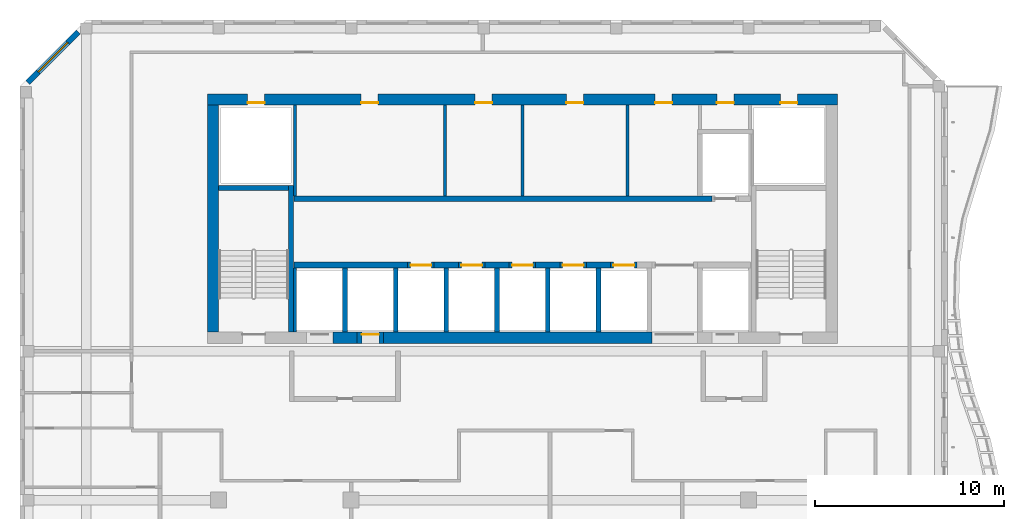
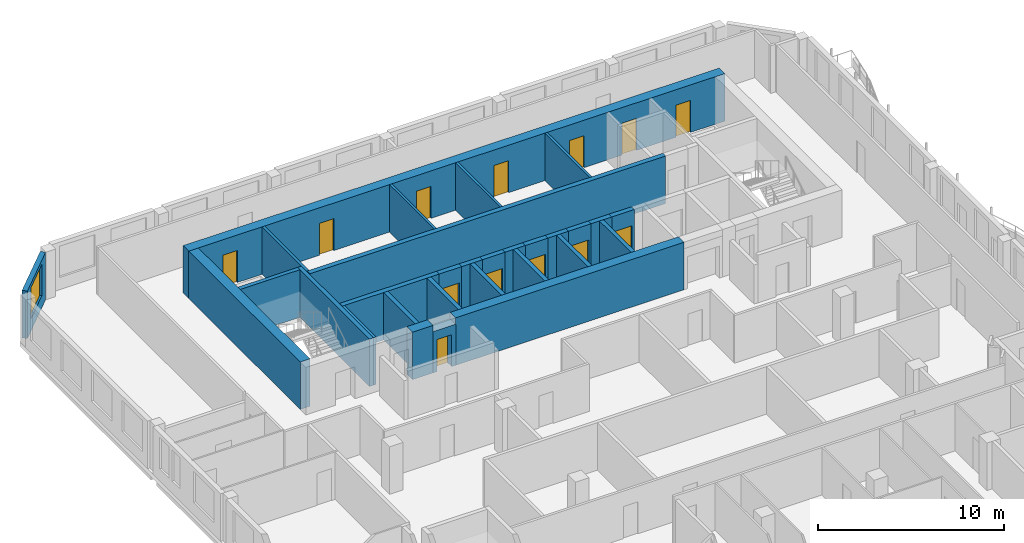
# One storey, part 6 of 18: 30 walls, 13 doors, 1 window, 14 openings.
"""IFC4 building model written with IfcOpenShell, lengths in metres."""

from ifc_helpers import new_model, si_unit, direction, frame, frame_2d, origin, place, context, subcontext, project, spatial, rectangle, extrude, source, transform, mapped, material, layer, layer_set, type_object, element, fill, save


model = new_model("IFC4")

# Units and contexts
model_context = context("Model", 3, precision=1e-05, world=origin(), true_north=direction((0.0, 1.0)))
body_context = subcontext(model_context, "Body", "Model", "MODEL_VIEW")
ifc_project = project(units=[si_unit("LENGTHUNIT", "METRE"), si_unit("AREAUNIT", "SQUARE_METRE"), si_unit("VOLUMEUNIT", "CUBIC_METRE"), si_unit("PLANEANGLEUNIT", "RADIAN"), si_unit("MASSUNIT", "GRAM", prefix="KILO")], contexts=[model_context])

# Site, building, storey
site_placement = place(None, origin())
site = spatial("IfcSite", under=ifc_project, at=site_placement, CompositionType="ELEMENT")
building_placement = place(site_placement, origin())
building = spatial("IfcBuilding", under=site, at=building_placement, Name="Kilnfold Tower and Market Hall", CompositionType="ELEMENT")
storey_placement = place(building_placement, frame((0.0, 0.0, 312.0)))
storey = spatial("IfcBuildingStorey", under=building, at=storey_placement, Name="L78", CompositionType="ELEMENT", Elevation=312.0)

# Walls
ifc_material_1 = material(Name="Concrete C50", Category="concrete")
ifc_layer_1 = layer(ifc_material_1, 0.25)
ifc_layer_set_1 = layer_set([ifc_layer_1], Name="Concrete C50")
wall_type_1 = type_object("IfcWallType", Name="CORE WALL 250 C50", PredefinedType="SHEAR", material=ifc_layer_set_1)
shared_shape_1 = source(origin(), body_context, "Body", "SweptSolid", [
    extrude(rectangle(XDim=7.75, YDim=0.25, at=frame_2d((3.875, 0.0))), origin(), (0.0, 0.0, 1.0), 3.1201171875),
])
wall_1_placement = place(storey_placement, frame((-11.175048828125, 9.0, 0.0), z_axis=(0.0, 0.0, 1.0), x_axis=(0.0, 1.0, 0.0)))
element("IfcWall", 1, at=wall_1_placement, inside=storey, type_object=wall_type_1, Name="Stair enclosure ST1", PredefinedType="SHEAR", context=body_context, shape_type="MappedRepresentation", body=[
    mapped(shared_shape_1, transform((0.0, 0.0, 0.0))),
])
shared_shape_2 = source(origin(), body_context, "Body", "SweptSolid", [
    extrude(rectangle(XDim=3.699951171875, YDim=0.25, at=frame_2d((1.85009765625, 0.0))), origin(), (0.0, 0.0, 1.0), 3.1201171875),
])
wall_2_placement = place(storey_placement, frame((-15.0, 16.625, 0.0), z_axis=(0.0, 0.0, 1.0), x_axis=(1.0, 0.0, 0.0)))
element("IfcWall", 2, at=wall_2_placement, inside=storey, type_object=wall_type_1, Name="Stair enclosure ST1", PredefinedType="SHEAR", context=body_context, shape_type="MappedRepresentation", body=[
    mapped(shared_shape_2, transform((0.0, 0.0, 0.0))),
])
ifc_material_2 = material(Name="Concrete C50", Category="concrete")
ifc_layer_2 = layer(ifc_material_2, 0.300048828125)
ifc_layer_set_2 = layer_set([ifc_layer_2], Name="Concrete C50")
wall_type_2 = type_object("IfcWallType", Name="CORE WALL 300 C50", PredefinedType="SHEAR", material=ifc_layer_set_2)
shared_shape_3 = source(origin(), body_context, "Body", "SweptSolid", [
    extrude(rectangle(XDim=6.0, YDim=0.300048828125, at=frame_2d((3.0, 0.0))), origin(), (0.0, 0.0, 1.0), 3.1201171875),
])
wall_3_placement = place(storey_placement, frame((-11.010009765625, 12.550048828125, 0.0), z_axis=(0.0, 0.0, 1.0), x_axis=(1.0, 0.0, 0.0)))
element("IfcWall", 3, at=wall_3_placement, inside=storey, type_object=wall_type_2, Name="Core spine wall", PredefinedType="SHEAR", context=body_context, shape_type="MappedRepresentation", body=[
    mapped(shared_shape_3, transform((0.0, 0.0, 0.0))),
])
shared_shape_4 = source(origin(), body_context, "Body", "SweptSolid", [
    extrude(rectangle(XDim=1.280029296875, YDim=0.300048828125, at=frame_2d((0.64013671875, 0.0))), origin(), (0.0, 0.0, 1.0), 3.1201171875),
])
for number, where, z_axis, x_axis, name in (
    (4, (-3.610107421875, 12.550048828125, 0.0), (0.0, 0.0, 1.0), (1.0, 0.0, 0.0), "Core spine wall"),
    (5, (-0.929931640625, 12.550048828125, 0.0), (0.0, 0.0, 1.0), (1.0, 0.0, 0.0), "Core spine wall"),
    (6, (1.75, 12.550048828125, 0.0), (0.0, 0.0, 1.0), (1.0, 0.0, 0.0), "Core spine wall"),
    (7, (4.429931640625, 12.550048828125, 0.0), (0.0, 0.0, 1.0), (1.0, 0.0, 0.0), "Core spine wall"),
):
    element("IfcWall", number, at=place(storey_placement, frame(where, z_axis=z_axis, x_axis=x_axis)), inside=storey, type_object=wall_type_2, Name=name, PredefinedType="SHEAR", context=body_context, shape_type="MappedRepresentation", body=[
        mapped(shared_shape_4, transform((0.0, 0.0, 0.0))),
    ])
shared_shape_5 = source(origin(), body_context, "Body", "SweptSolid", [
    extrude(rectangle(XDim=22.080078125, YDim=0.300048828125, at=frame_2d((11.0400390625, 0.0))), origin(), (0.0, 0.0, 1.0), 3.1201171875),
])
wall_4_placement = place(storey_placement, frame((-11.010009765625, 16.050048828125, 0.0), z_axis=(0.0, 0.0, 1.0), x_axis=(1.0, 0.0, 0.0)))
element("IfcWall", 8, at=wall_4_placement, inside=storey, type_object=wall_type_2, Name="Core spine wall", PredefinedType="SHEAR", context=body_context, shape_type="MappedRepresentation", body=[
    mapped(shared_shape_5, transform((0.0, 0.0, 0.0))),
])
ifc_material_3 = material(Name="Concrete C50", Category="concrete")
ifc_layer_3 = layer(ifc_material_3, 0.60009765625)
ifc_layer_set_3 = layer_set([ifc_layer_3], Name="Concrete C50")
wall_type_3 = type_object("IfcWallType", Name="CORE WALL 600 C50", PredefinedType="SHEAR", material=ifc_layer_set_3)
shared_shape_6 = source(origin(), body_context, "Body", "SweptSolid", [
    extrude(rectangle(XDim=1.280029296875, YDim=0.60009765625, at=frame_2d((0.64013671875, 0.0))), origin(), (0.0, 0.0, 1.0), 3.1201171875),
])
wall_5_placement = place(storey_placement, frame((-8.969970703125, 8.699951171875, 0.0), z_axis=(0.0, 0.0, 1.0), x_axis=(1.0, 0.0, 0.0)))
element("IfcWall", 9, at=wall_5_placement, inside=storey, type_object=wall_type_3, Name="Core outer wall south", PredefinedType="SHEAR", context=body_context, shape_type="MappedRepresentation", body=[
    mapped(shared_shape_6, transform((0.0, 0.0, 0.0))),
])
shared_shape_7 = source(origin(), body_context, "Body", "SweptSolid", [
    extrude(rectangle(XDim=14.179931640625, YDim=0.60009765625, at=frame_2d((7.08984375, 0.0))), origin(), (0.0, 0.0, 1.0), 3.1201171875),
])
wall_6_placement = place(storey_placement, frame((-6.2900390625, 8.699951171875, 0.0), z_axis=(0.0, 0.0, 1.0), x_axis=(1.0, 0.0, 0.0)))
element("IfcWall", 10, at=wall_6_placement, inside=storey, type_object=wall_type_3, Name="Core outer wall south", PredefinedType="SHEAR", context=body_context, shape_type="MappedRepresentation", body=[
    mapped(shared_shape_7, transform((0.0, 0.0, 0.0))),
])

# Wall, openings, doors
shared_shape_8 = source(origin(), body_context, "Body", "SweptSolid", [
    extrude(rectangle(XDim=33.300048828125, YDim=0.60009765625, at=frame_2d((16.64990234375, 0.0))), origin(), (0.0, 0.0, 1.0), 3.1201171875),
])
wall_7_placement = place(storey_placement, frame((-15.60009765625, 21.300048828125, 0.0), z_axis=(0.0, 0.0, 1.0), x_axis=(1.0, 0.0, 0.0)))
wall_7 = element("IfcWall", 11, at=wall_7_placement, inside=storey, type_object=wall_type_3, Name="Core outer wall north", PredefinedType="SHEAR", context=body_context, shape_type="MappedRepresentation", body=[
    mapped(shared_shape_8, transform((0.0, 0.0, 0.0))),
])
opening_1_placement = place(wall_7_placement, frame((8.119873046875, 0.0, 0.0)))
opening_1 = element("IfcOpeningElement", 12, at=opening_1_placement, cuts=wall_7, Name="Opening KD1", PredefinedType="OPENING", context=body_context, shape_type="SweptSolid", body=[
    extrude(rectangle(XDim=0.89990234375, YDim=2.10009765625, at=frame_2d((0.449951171875, 1.050048828125))), frame((0.0, 0.31005859375, 0.0), z_axis=(0.0, -1.0, 0.0), x_axis=(1.0, 0.0, 0.0)), (0.0, 0.0, 1.0), 0.6201171875),
])
opening_2_placement = place(wall_7_placement, frame((14.14990234375, 0.0, 0.0)))
opening_2 = element("IfcOpeningElement", 13, at=opening_2_placement, cuts=wall_7, Name="Opening KD1", PredefinedType="OPENING", context=body_context, shape_type="SweptSolid", body=[
    extrude(rectangle(XDim=0.89990234375, YDim=2.10009765625, at=frame_2d((0.449951171875, 1.050048828125))), frame((0.0, 0.31005859375, 0.0), z_axis=(0.0, -1.0, 0.0), x_axis=(1.0, 0.0, 0.0)), (0.0, 0.0, 1.0), 0.6201171875),
])
opening_3_placement = place(wall_7_placement, frame((18.973876953125, 0.0, 0.0)))
opening_3 = element("IfcOpeningElement", 14, at=opening_3_placement, cuts=wall_7, Name="Opening KD1", PredefinedType="OPENING", context=body_context, shape_type="SweptSolid", body=[
    extrude(rectangle(XDim=0.89990234375, YDim=2.10009765625, at=frame_2d((0.449951171875, 1.050048828125))), frame((0.0, 0.31005859375, 0.0), z_axis=(0.0, -1.0, 0.0), x_axis=(1.0, 0.0, 0.0)), (0.0, 0.0, 1.0), 0.6201171875),
])
opening_4_placement = place(wall_7_placement, frame((23.663818359375, 0.0, 0.0)))
opening_4 = element("IfcOpeningElement", 15, at=opening_4_placement, cuts=wall_7, Name="Opening KD1", PredefinedType="OPENING", context=body_context, shape_type="SweptSolid", body=[
    extrude(rectangle(XDim=0.89990234375, YDim=2.10009765625, at=frame_2d((0.449951171875, 1.050048828125))), frame((0.0, 0.31005859375, 0.0), z_axis=(0.0, -1.0, 0.0), x_axis=(1.0, 0.0, 0.0)), (0.0, 0.0, 1.0), 0.6201171875),
])
opening_5_placement = place(wall_7_placement, frame((26.919921875, 0.0, 0.0)))
opening_5 = element("IfcOpeningElement", 16, at=opening_5_placement, cuts=wall_7, Name="Opening KD1", PredefinedType="OPENING", context=body_context, shape_type="SweptSolid", body=[
    extrude(rectangle(XDim=0.89990234375, YDim=2.10009765625, at=frame_2d((0.449951171875, 1.050048828125))), frame((0.0, 0.31005859375, 0.0), z_axis=(0.0, -1.0, 0.0), x_axis=(1.0, 0.0, 0.0)), (0.0, 0.0, 1.0), 0.6201171875),
])
opening_6_placement = place(wall_7_placement, frame((2.125, 0.0, 0.0)))
opening_6 = element("IfcOpeningElement", 17, at=opening_6_placement, cuts=wall_7, Name="Opening KD1", PredefinedType="OPENING", context=body_context, shape_type="SweptSolid", body=[
    extrude(rectangle(XDim=0.89990234375, YDim=2.10009765625, at=frame_2d((0.449951171875, 1.050048828125))), frame((0.0, 0.31005859375, 0.0), z_axis=(0.0, -1.0, 0.0), x_axis=(1.0, 0.0, 0.0)), (0.0, 0.0, 1.0), 0.6201171875),
])
opening_7_placement = place(wall_7_placement, frame((30.27490234375, 0.0, 0.0)))
opening_7 = element("IfcOpeningElement", 18, at=opening_7_placement, cuts=wall_7, Name="Opening KD1", PredefinedType="OPENING", context=body_context, shape_type="SweptSolid", body=[
    extrude(rectangle(XDim=0.89990234375, YDim=2.10009765625, at=frame_2d((0.449951171875, 1.050048828125))), frame((0.0, 0.31005859375, 0.0), z_axis=(0.0, -1.0, 0.0), x_axis=(1.0, 0.0, 0.0)), (0.0, 0.0, 1.0), 0.6201171875),
])
ifc_material_4 = material(Name="Steel door set with fire-resisting leaf", Category="steel")
door_type_1 = type_object("IfcDoorType", Name="SERVICE DOOR 900X2100", OperationType="NOTDEFINED", PredefinedType="DOOR", material=ifc_material_4)
door_1_placement = place(opening_1_placement, origin())
door_1 = element("IfcDoor", 19, at=door_1_placement, inside=storey, type_object=door_type_1, Name="Core service door", OperationType="SINGLE_SWING_RIGHT", OverallHeight=2.10009765625, OverallWidth=0.89990234375, PredefinedType="DOOR", context=body_context, shape_type="SweptSolid", body=[
    extrude(rectangle(XDim=0.89990234375, YDim=2.10009765625, at=frame_2d((0.449951171875, 1.050048828125))), frame((0.0, -0.15478515625, 0.0), z_axis=(0.0, -1.0, 0.0), x_axis=(1.0, 0.0, 0.0)), (0.0, 0.0, 1.0), 0.050048828125),
])
fill(opening_1, door_1)
door_2_placement = place(opening_2_placement, origin())
door_2 = element("IfcDoor", 20, at=door_2_placement, inside=storey, type_object=door_type_1, Name="Core service door", OperationType="SINGLE_SWING_LEFT", OverallHeight=2.10009765625, OverallWidth=0.89990234375, PredefinedType="DOOR", context=body_context, shape_type="SweptSolid", body=[
    extrude(rectangle(XDim=0.89990234375, YDim=2.10009765625, at=frame_2d((0.449951171875, 1.050048828125))), frame((0.0, -0.15478515625, 0.0), z_axis=(0.0, -1.0, 0.0), x_axis=(1.0, 0.0, 0.0)), (0.0, 0.0, 1.0), 0.050048828125),
])
fill(opening_2, door_2)
door_3_placement = place(opening_3_placement, origin())
door_3 = element("IfcDoor", 21, at=door_3_placement, inside=storey, type_object=door_type_1, Name="Core service door", OperationType="SINGLE_SWING_RIGHT", OverallHeight=2.10009765625, OverallWidth=0.89990234375, PredefinedType="DOOR", context=body_context, shape_type="SweptSolid", body=[
    extrude(rectangle(XDim=0.89990234375, YDim=2.10009765625, at=frame_2d((0.449951171875, 1.050048828125))), frame((0.0, -0.15478515625, 0.0), z_axis=(0.0, -1.0, 0.0), x_axis=(1.0, 0.0, 0.0)), (0.0, 0.0, 1.0), 0.050048828125),
])
fill(opening_3, door_3)
door_4_placement = place(opening_4_placement, origin())
door_4 = element("IfcDoor", 22, at=door_4_placement, inside=storey, type_object=door_type_1, Name="Core service door", OperationType="SINGLE_SWING_LEFT", OverallHeight=2.10009765625, OverallWidth=0.89990234375, PredefinedType="DOOR", context=body_context, shape_type="SweptSolid", body=[
    extrude(rectangle(XDim=0.89990234375, YDim=2.10009765625, at=frame_2d((0.449951171875, 1.050048828125))), frame((0.0, -0.15478515625, 0.0), z_axis=(0.0, -1.0, 0.0), x_axis=(1.0, 0.0, 0.0)), (0.0, 0.0, 1.0), 0.050048828125),
])
fill(opening_4, door_4)
door_5_placement = place(opening_5_placement, origin())
door_5 = element("IfcDoor", 23, at=door_5_placement, inside=storey, type_object=door_type_1, Name="Core service door", OperationType="SINGLE_SWING_RIGHT", OverallHeight=2.10009765625, OverallWidth=0.89990234375, PredefinedType="DOOR", context=body_context, shape_type="SweptSolid", body=[
    extrude(rectangle(XDim=0.89990234375, YDim=2.10009765625, at=frame_2d((0.449951171875, 1.050048828125))), frame((0.0, -0.15478515625, 0.0), z_axis=(0.0, -1.0, 0.0), x_axis=(1.0, 0.0, 0.0)), (0.0, 0.0, 1.0), 0.050048828125),
])
fill(opening_5, door_5)
door_6_placement = place(opening_6_placement, origin())
door_6 = element("IfcDoor", 24, at=door_6_placement, inside=storey, type_object=door_type_1, Name="Electrical riser access door", OperationType="SINGLE_SWING_LEFT", OverallHeight=2.10009765625, OverallWidth=0.89990234375, PredefinedType="DOOR", context=body_context, shape_type="SweptSolid", body=[
    extrude(rectangle(XDim=0.89990234375, YDim=2.10009765625, at=frame_2d((0.449951171875, 1.050048828125))), frame((0.0, -0.15478515625, 0.0), z_axis=(0.0, -1.0, 0.0), x_axis=(1.0, 0.0, 0.0)), (0.0, 0.0, 1.0), 0.050048828125),
])
fill(opening_6, door_6)
door_7_placement = place(opening_7_placement, origin())
door_7 = element("IfcDoor", 25, at=door_7_placement, inside=storey, type_object=door_type_1, Name="Mechanical riser access door", OperationType="SINGLE_SWING_RIGHT", OverallHeight=2.10009765625, OverallWidth=0.89990234375, PredefinedType="DOOR", context=body_context, shape_type="SweptSolid", body=[
    extrude(rectangle(XDim=0.89990234375, YDim=2.10009765625, at=frame_2d((0.449951171875, 1.050048828125))), frame((0.0, -0.15478515625, 0.0), z_axis=(0.0, -1.0, 0.0), x_axis=(1.0, 0.0, 0.0)), (0.0, 0.0, 1.0), 0.050048828125),
])
fill(opening_7, door_7)

# Wall
shared_shape_9 = source(origin(), body_context, "Body", "SweptSolid", [
    extrude(rectangle(XDim=12.0, YDim=0.60009765625, at=frame_2d((6.0, 0.0))), origin(), (0.0, 0.0, 1.0), 3.1201171875),
])
wall_8_placement = place(storey_placement, frame((-15.300048828125, 9.0, 0.0), z_axis=(0.0, 0.0, 1.0), x_axis=(0.0, 1.0, 0.0)))
element("IfcWall", 26, at=wall_8_placement, inside=storey, type_object=wall_type_3, Name="Core outer wall west", PredefinedType="SHEAR", context=body_context, shape_type="MappedRepresentation", body=[
    mapped(shared_shape_9, transform((0.0, 0.0, 0.0))),
])

# Wall, opening, window
ifc_material_5 = material(Name="Precast concrete C50/60", Category="concrete")
ifc_layer_4 = layer(ifc_material_5, 0.300048828125)
ifc_layer_set_4 = layer_set([ifc_layer_4], Name="Precast concrete C50/60")
wall_type_4 = type_object("IfcWallType", Name="PRECAST WALL 300", PredefinedType="SOLIDWALL", material=ifc_layer_set_4)
shared_shape_10 = source(origin(), body_context, "Body", "SweptSolid", [
    extrude(rectangle(XDim=3.783203125, YDim=0.300048828125, at=frame_2d((1.8916015625, 0.0))), origin(), (0.0, 0.0, 1.0), 3.1201171875),
])
wall_9_placement = place(storey_placement, frame((-22.4189453125, 24.868896484375, 0.0), z_axis=(0.0, 0.0, 1.0), x_axis=(-0.707106781187, -0.707106781187, 0.0)))
wall_9 = element("IfcWall", 27, at=wall_9_placement, inside=storey, type_object=wall_type_4, Name="External wall L78 NW", PredefinedType="SOLIDWALL", context=body_context, shape_type="MappedRepresentation", body=[
    mapped(shared_shape_10, transform((0.0, 0.0, 0.0))),
])
opening_8_placement = place(wall_9_placement, frame((0.79150390625, 0.0, 0.800048828125)))
opening_8 = element("IfcOpeningElement", 28, at=opening_8_placement, cuts=wall_9, Name="Opening W3", PredefinedType="OPENING", context=body_context, shape_type="SweptSolid", body=[
    extrude(rectangle(XDim=2.199951171875, YDim=2.050048828125, at=frame_2d((1.10009765625, 1.02490234375))), frame((0.0, 0.16015625, 0.0), z_axis=(0.0, -1.0, 0.0), x_axis=(1.0, 0.0, 0.0)), (0.0, 0.0, 1.0), 0.320068359375),
])
ifc_material_6 = material(Name="Aluminium frame and double glazing", Category="aluminium")
window_type = type_object("IfcWindowType", Name="WINDOW W3 2200X2050", PartitioningType="SINGLE_PANEL", PredefinedType="WINDOW", material=ifc_material_6)
window_placement = place(opening_8_placement, origin())
window = element("IfcWindow", 29, at=window_placement, inside=storey, type_object=window_type, Name="Window W3 L78 NW-1", OverallHeight=2.050048828125, OverallWidth=2.199951171875, PartitioningType="SINGLE_PANEL", PredefinedType="WINDOW", context=body_context, shape_type="SweptSolid", body=[
    extrude(rectangle(XDim=2.199951171875, YDim=2.050048828125, at=frame_2d((1.10009765625, 1.02490234375))), frame((0.0, 0.030029296875, 0.0), z_axis=(0.0, -1.0, 0.0), x_axis=(1.0, 0.0, 0.0)), (0.0, 0.0, 1.0), 0.06005859375),
])
fill(opening_8, window)

# Wall, opening, door
ifc_material_7 = material(Name="Gypsum shaft wall system")
ifc_layer_5 = layer(ifc_material_7, 0.300048828125)
ifc_layer_set_5 = layer_set([ifc_layer_5], Name="Gypsum shaft wall system")
wall_type_5 = type_object("IfcWallType", Name="SHAFT WALL 300", PredefinedType="PARTITIONING", material=ifc_layer_set_5)
shared_shape_11 = source(origin(), body_context, "Body", "SweptSolid", [
    extrude(rectangle(XDim=1.39990234375, YDim=0.300048828125, at=frame_2d((0.699951171875, 0.0))), origin(), (0.0, 0.0, 1.0), 3.1201171875),
])
wall_10_placement = place(storey_placement, frame((-5.010009765625, 12.550048828125, 0.0), z_axis=(0.0, 0.0, 1.0), x_axis=(1.0, 0.0, 0.0)))
wall_10 = element("IfcWall", 30, at=wall_10_placement, inside=storey, type_object=wall_type_5, Name="Lift shaft front wall", PredefinedType="PARTITIONING", context=body_context, shape_type="MappedRepresentation", body=[
    mapped(shared_shape_11, transform((0.0, 0.0, 0.0))),
])
opening_9_placement = place(wall_10_placement, frame((0.14990234375, 0.0, 0.0)))
opening_9 = element("IfcOpeningElement", 31, at=opening_9_placement, cuts=wall_10, Name="Opening LD2", PredefinedType="OPENING", context=body_context, shape_type="SweptSolid", body=[
    extrude(rectangle(XDim=1.10009765625, YDim=2.10009765625, at=frame_2d((0.550048828125, 1.050048828125))), frame((0.0, 0.16015625, 0.0), z_axis=(0.0, -1.0, 0.0), x_axis=(1.0, 0.0, 0.0)), (0.0, 0.0, 1.0), 0.320068359375),
])
ifc_material_8 = material(Name="Steel door set with fire-resisting leaf", Category="steel")
door_type_2 = type_object("IfcDoorType", Name="LANDING DOOR 1100X2100", OperationType="NOTDEFINED", PredefinedType="DOOR", material=ifc_material_8)
door_8_placement = place(opening_9_placement, origin())
door_8 = element("IfcDoor", 32, at=door_8_placement, inside=storey, type_object=door_type_2, Name="Landing door HR1", OperationType="DOUBLE_DOOR_SLIDING", OverallHeight=2.10009765625, OverallWidth=1.10009765625, PredefinedType="DOOR", context=body_context, shape_type="SweptSolid", body=[
    extrude(rectangle(XDim=1.10009765625, YDim=2.10009765625, at=frame_2d((0.550048828125, 1.050048828125))), frame((0.0, 0.02490234375, 0.0), z_axis=(0.0, -1.0, 0.0), x_axis=(1.0, 0.0, 0.0)), (0.0, 0.0, 1.0), 0.050048828125),
])
fill(opening_9, door_8)

wall_11_placement = place(storey_placement, frame((0.35009765625, 12.550048828125, 0.0), z_axis=(0.0, 0.0, 1.0), x_axis=(1.0, 0.0, 0.0)))
wall_11 = element("IfcWall", 33, at=wall_11_placement, inside=storey, type_object=wall_type_5, Name="Lift shaft front wall", PredefinedType="PARTITIONING", context=body_context, shape_type="MappedRepresentation", body=[
    mapped(shared_shape_11, transform((0.0, 0.0, 0.0))),
])
opening_10_placement = place(wall_11_placement, frame((0.14990234375, 0.0, 0.0)))
opening_10 = element("IfcOpeningElement", 34, at=opening_10_placement, cuts=wall_11, Name="Opening LD2", PredefinedType="OPENING", context=body_context, shape_type="SweptSolid", body=[
    extrude(rectangle(XDim=1.10009765625, YDim=2.10009765625, at=frame_2d((0.550048828125, 1.050048828125))), frame((0.0, 0.16015625, 0.0), z_axis=(0.0, -1.0, 0.0), x_axis=(1.0, 0.0, 0.0)), (0.0, 0.0, 1.0), 0.320068359375),
])
door_9_placement = place(opening_10_placement, origin())
door_9 = element("IfcDoor", 35, at=door_9_placement, inside=storey, type_object=door_type_2, Name="Landing door HR3", OperationType="DOUBLE_DOOR_SLIDING", OverallHeight=2.10009765625, OverallWidth=1.10009765625, PredefinedType="DOOR", context=body_context, shape_type="SweptSolid", body=[
    extrude(rectangle(XDim=1.10009765625, YDim=2.10009765625, at=frame_2d((0.550048828125, 1.050048828125))), frame((0.0, 0.02490234375, 0.0), z_axis=(0.0, -1.0, 0.0), x_axis=(1.0, 0.0, 0.0)), (0.0, 0.0, 1.0), 0.050048828125),
])
fill(opening_10, door_9)

wall_12_placement = place(storey_placement, frame((3.030029296875, 12.550048828125, 0.0), z_axis=(0.0, 0.0, 1.0), x_axis=(1.0, 0.0, 0.0)))
wall_12 = element("IfcWall", 36, at=wall_12_placement, inside=storey, type_object=wall_type_5, Name="Lift shaft front wall", PredefinedType="PARTITIONING", context=body_context, shape_type="MappedRepresentation", body=[
    mapped(shared_shape_11, transform((0.0, 0.0, 0.0))),
])
opening_11_placement = place(wall_12_placement, frame((0.14990234375, 0.0, 0.0)))
opening_11 = element("IfcOpeningElement", 37, at=opening_11_placement, cuts=wall_12, Name="Opening LD2", PredefinedType="OPENING", context=body_context, shape_type="SweptSolid", body=[
    extrude(rectangle(XDim=1.10009765625, YDim=2.10009765625, at=frame_2d((0.550048828125, 1.050048828125))), frame((0.0, 0.16015625, 0.0), z_axis=(0.0, -1.0, 0.0), x_axis=(1.0, 0.0, 0.0)), (0.0, 0.0, 1.0), 0.320068359375),
])
door_10_placement = place(opening_11_placement, origin())
door_10 = element("IfcDoor", 38, at=door_10_placement, inside=storey, type_object=door_type_2, Name="Landing door HR4", OperationType="DOUBLE_DOOR_SLIDING", OverallHeight=2.10009765625, OverallWidth=1.10009765625, PredefinedType="DOOR", context=body_context, shape_type="SweptSolid", body=[
    extrude(rectangle(XDim=1.10009765625, YDim=2.10009765625, at=frame_2d((0.550048828125, 1.050048828125))), frame((0.0, 0.02490234375, 0.0), z_axis=(0.0, -1.0, 0.0), x_axis=(1.0, 0.0, 0.0)), (0.0, 0.0, 1.0), 0.050048828125),
])
fill(opening_11, door_10)

shared_shape_12 = source(origin(), body_context, "Body", "SweptSolid", [
    extrude(rectangle(XDim=1.400146484375, YDim=0.300048828125, at=frame_2d((0.7001953125, 0.0))), origin(), (0.0, 0.0, 1.0), 3.1201171875),
])
wall_13_placement = place(storey_placement, frame((-2.330078125, 12.550048828125, 0.0), z_axis=(0.0, 0.0, 1.0), x_axis=(1.0, 0.0, 0.0)))
wall_13 = element("IfcWall", 39, at=wall_13_placement, inside=storey, type_object=wall_type_5, Name="Lift shaft front wall", PredefinedType="PARTITIONING", context=body_context, shape_type="MappedRepresentation", body=[
    mapped(shared_shape_12, transform((0.0, 0.0, 0.0))),
])
opening_12_placement = place(wall_13_placement, frame((0.14990234375, 0.0, 0.0)))
opening_12 = element("IfcOpeningElement", 40, at=opening_12_placement, cuts=wall_13, Name="Opening LD2", PredefinedType="OPENING", context=body_context, shape_type="SweptSolid", body=[
    extrude(rectangle(XDim=1.10009765625, YDim=2.10009765625, at=frame_2d((0.550048828125, 1.050048828125))), frame((0.0, 0.16015625, 0.0), z_axis=(0.0, -1.0, 0.0), x_axis=(1.0, 0.0, 0.0)), (0.0, 0.0, 1.0), 0.320068359375),
])
door_11_placement = place(opening_12_placement, origin())
door_11 = element("IfcDoor", 41, at=door_11_placement, inside=storey, type_object=door_type_2, Name="Landing door HR2", OperationType="DOUBLE_DOOR_SLIDING", OverallHeight=2.10009765625, OverallWidth=1.10009765625, PredefinedType="DOOR", context=body_context, shape_type="SweptSolid", body=[
    extrude(rectangle(XDim=1.10009765625, YDim=2.10009765625, at=frame_2d((0.550048828125, 1.050048828125))), frame((0.0, 0.02490234375, 0.0), z_axis=(0.0, -1.0, 0.0), x_axis=(1.0, 0.0, 0.0)), (0.0, 0.0, 1.0), 0.050048828125),
])
fill(opening_12, door_11)

wall_14_placement = place(storey_placement, frame((5.7099609375, 12.550048828125, 0.0), z_axis=(0.0, 0.0, 1.0), x_axis=(1.0, 0.0, 0.0)))
wall_14 = element("IfcWall", 42, at=wall_14_placement, inside=storey, type_object=wall_type_5, Name="Lift shaft front wall", PredefinedType="PARTITIONING", context=body_context, shape_type="MappedRepresentation", body=[
    mapped(shared_shape_12, transform((0.0, 0.0, 0.0))),
])
opening_13_placement = place(wall_14_placement, frame((0.14990234375, 0.0, 0.0)))
opening_13 = element("IfcOpeningElement", 43, at=opening_13_placement, cuts=wall_14, Name="Opening LD2", PredefinedType="OPENING", context=body_context, shape_type="SweptSolid", body=[
    extrude(rectangle(XDim=1.10009765625, YDim=2.10009765625, at=frame_2d((0.550048828125, 1.050048828125))), frame((0.0, 0.16015625, 0.0), z_axis=(0.0, -1.0, 0.0), x_axis=(1.0, 0.0, 0.0)), (0.0, 0.0, 1.0), 0.320068359375),
])
door_12_placement = place(opening_13_placement, origin())
door_12 = element("IfcDoor", 44, at=door_12_placement, inside=storey, type_object=door_type_2, Name="Landing door HR5", OperationType="DOUBLE_DOOR_SLIDING", OverallHeight=2.10009765625, OverallWidth=1.10009765625, PredefinedType="DOOR", context=body_context, shape_type="SweptSolid", body=[
    extrude(rectangle(XDim=1.10009765625, YDim=2.10009765625, at=frame_2d((0.550048828125, 1.050048828125))), frame((0.0, 0.02490234375, 0.0), z_axis=(0.0, -1.0, 0.0), x_axis=(1.0, 0.0, 0.0)), (0.0, 0.0, 1.0), 0.050048828125),
])
fill(opening_13, door_12)

# Walls
ifc_material_9 = material(Name="Gypsum shaft wall system")
ifc_layer_6 = layer(ifc_material_9, 0.1650390625)
ifc_layer_set_6 = layer_set([ifc_layer_6], Name="Gypsum shaft wall system")
wall_type_6 = type_object("IfcWallType", Name="SHAFT WALL 165", PredefinedType="PARTITIONING", material=ifc_layer_set_6)
shared_shape_13 = source(origin(), body_context, "Body", "SweptSolid", [
    extrude(rectangle(XDim=4.800048828125, YDim=0.1650390625, at=frame_2d((2.39990234375, 0.0))), origin(), (0.0, 0.0, 1.0), 3.1201171875),
])
wall_15_placement = place(storey_placement, frame((-10.967529296875, 16.199951171875, 0.0), z_axis=(0.0, 0.0, 1.0), x_axis=(0.0, 1.0, 0.0)))
element("IfcWall", 45, at=wall_15_placement, inside=storey, type_object=wall_type_6, Name="Lift shaft wall", PredefinedType="PARTITIONING", context=body_context, shape_type="MappedRepresentation", body=[
    mapped(shared_shape_13, transform((0.0, 0.0, 0.0))),
])
ifc_material_10 = material(Name="Gypsum shaft wall system")
ifc_layer_7 = layer(ifc_material_10, 0.25)
ifc_layer_set_7 = layer_set([ifc_layer_7], Name="Gypsum shaft wall system")
wall_type_7 = type_object("IfcWallType", Name="SHAFT WALL 250", PredefinedType="PARTITIONING", material=ifc_layer_set_7)
shared_shape_14 = source(origin(), body_context, "Body", "SweptSolid", [
    extrude(rectangle(XDim=3.39990234375, YDim=0.25, at=frame_2d((1.699951171875, 0.0))), origin(), (0.0, 0.0, 1.0), 3.1201171875),
])
for number, where, z_axis, x_axis, name in (
    (46, (2.389892578125, 9.0, 0.0), (0.0, 0.0, 1.0), (0.0, 1.0, 0.0), "Lift shaft wall"),
    (47, (5.070068359375, 9.0, 0.0), (0.0, 0.0, 1.0), (0.0, 1.0, 0.0), "Lift shaft wall"),
    (48, (-0.2900390625, 9.0, 0.0), (0.0, 0.0, 1.0), (0.0, 1.0, 0.0), "Lift shaft wall"),
    (49, (-2.969970703125, 9.0, 0.0), (0.0, 0.0, 1.0), (0.0, 1.0, 0.0), "Lift shaft wall"),
    (50, (-5.64990234375, 9.0, 0.0), (0.0, 0.0, 1.0), (0.0, 1.0, 0.0), "Lift shaft wall"),
    (51, (-8.330078125, 9.0, 0.0), (0.0, 0.0, 1.0), (0.0, 1.0, 0.0), "Lift shaft wall"),
):
    element("IfcWall", number, at=place(storey_placement, frame(where, z_axis=z_axis, x_axis=x_axis)), inside=storey, type_object=wall_type_7, Name=name, PredefinedType="PARTITIONING", context=body_context, shape_type="MappedRepresentation", body=[
        mapped(shared_shape_14, transform((0.0, 0.0, 0.0))),
    ])
shared_shape_15 = source(origin(), body_context, "Body", "SweptSolid", [
    extrude(rectangle(XDim=3.39990234375, YDim=0.1650390625, at=frame_2d((1.699951171875, 0.0))), origin(), (0.0, 0.0, 1.0), 3.1201171875),
])
wall_16_placement = place(storey_placement, frame((-10.967529296875, 9.0, 0.0), z_axis=(0.0, 0.0, 1.0), x_axis=(0.0, 1.0, 0.0)))
element("IfcWall", 52, at=wall_16_placement, inside=storey, type_object=wall_type_6, Name="Lift shaft wall", PredefinedType="PARTITIONING", context=body_context, shape_type="MappedRepresentation", body=[
    mapped(shared_shape_15, transform((0.0, 0.0, 0.0))),
])
ifc_material_11 = material(Name="Gypsum shaft wall system")
ifc_layer_8 = layer(ifc_material_11, 0.14990234375)
ifc_layer_set_8 = layer_set([ifc_layer_8], Name="Gypsum shaft wall system")
wall_type_8 = type_object("IfcWallType", Name="ROOM WALL 150", PredefinedType="PARTITIONING", material=ifc_layer_set_8)
shared_shape_16 = source(origin(), body_context, "Body", "SweptSolid", [
    extrude(rectangle(XDim=4.800048828125, YDim=0.14990234375, at=frame_2d((2.39990234375, 0.0))), origin(), (0.0, 0.0, 1.0), 3.1201171875),
])
for number, where, z_axis, x_axis, name in (
    (53, (-3.05029296875, 16.199951171875, 0.0), (0.0, 0.0, 1.0), (0.0, 1.0, 0.0), "Core room wall"),
    (54, (1.050048828125, 16.199951171875, 0.0), (0.0, 0.0, 1.0), (0.0, 1.0, 0.0), "Core room wall"),
    (55, (6.59765625, 16.199951171875, 0.0), (0.0, 0.0, 1.0), (0.0, 1.0, 0.0), "Core room wall"),
):
    element("IfcWall", number, at=place(storey_placement, frame(where, z_axis=z_axis, x_axis=x_axis)), inside=storey, type_object=wall_type_8, Name=name, PredefinedType="PARTITIONING", context=body_context, shape_type="MappedRepresentation", body=[
        mapped(shared_shape_16, transform((0.0, 0.0, 0.0))),
    ])

# Wall, opening, door
ifc_material_12 = material(Name="Gypsum shaft wall system")
ifc_layer_9 = layer(ifc_material_12, 0.60009765625)
ifc_layer_set_9 = layer_set([ifc_layer_9], Name="Gypsum shaft wall system")
wall_type_9 = type_object("IfcWallType", Name="LOBBY WALL 600", PredefinedType="PARTITIONING", material=ifc_layer_set_9)
shared_shape_17 = source(origin(), body_context, "Body", "SweptSolid", [
    extrude(rectangle(XDim=1.39990234375, YDim=0.60009765625, at=frame_2d((0.699951171875, 0.0))), origin(), (0.0, 0.0, 1.0), 2.699951171875),
])
wall_17_placement = place(storey_placement, frame((-7.68994140625, 8.699951171875, 0.0), z_axis=(0.0, 0.0, 1.0), x_axis=(1.0, 0.0, 0.0)))
wall_17 = element("IfcWall", 56, at=wall_17_placement, inside=storey, type_object=wall_type_9, Name="Core wall infill", PredefinedType="PARTITIONING", context=body_context, shape_type="MappedRepresentation", body=[
    mapped(shared_shape_17, transform((0.0, 0.0, 0.0))),
])
opening_14_placement = place(wall_17_placement, frame((0.25, 0.0, 0.0)))
opening_14 = element("IfcOpeningElement", 57, at=opening_14_placement, cuts=wall_17, Name="Opening LD1", PredefinedType="OPENING", context=body_context, shape_type="SweptSolid", body=[
    extrude(rectangle(XDim=0.89990234375, YDim=2.10009765625, at=frame_2d((0.449951171875, 1.050048828125))), frame((0.0, 0.31005859375, 0.0), z_axis=(0.0, -1.0, 0.0), x_axis=(1.0, 0.0, 0.0)), (0.0, 0.0, 1.0), 0.6201171875),
])
ifc_material_13 = material(Name="Steel door set with fire-resisting leaf", Category="steel")
door_type_3 = type_object("IfcDoorType", Name="FIREFIGHTING LANDING DOOR 900X2100", OperationType="NOTDEFINED", PredefinedType="DOOR", material=ifc_material_13)
door_13_placement = place(opening_14_placement, origin())
door_13 = element("IfcDoor", 58, at=door_13_placement, inside=storey, type_object=door_type_3, Name="Landing door FF2", OperationType="SLIDING_TO_RIGHT", OverallHeight=2.10009765625, OverallWidth=0.89990234375, PredefinedType="DOOR", context=body_context, shape_type="SweptSolid", body=[
    extrude(rectangle(XDim=0.89990234375, YDim=2.10009765625, at=frame_2d((0.449951171875, 1.050048828125))), frame((0.0, 0.205078125, 0.0), z_axis=(0.0, -1.0, 0.0), x_axis=(1.0, 0.0, 0.0)), (0.0, 0.0, 1.0), 0.050048828125),
])
fill(opening_14, door_13)

save(model, "model.ifc")
